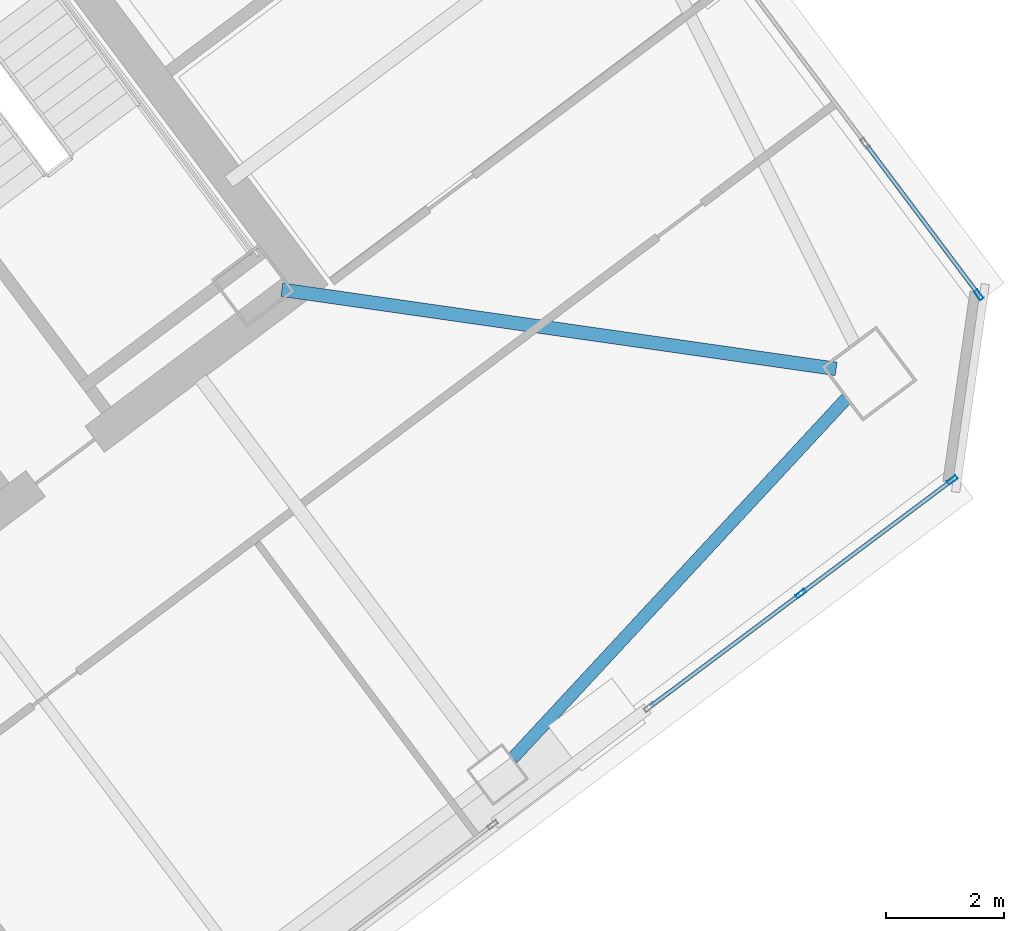
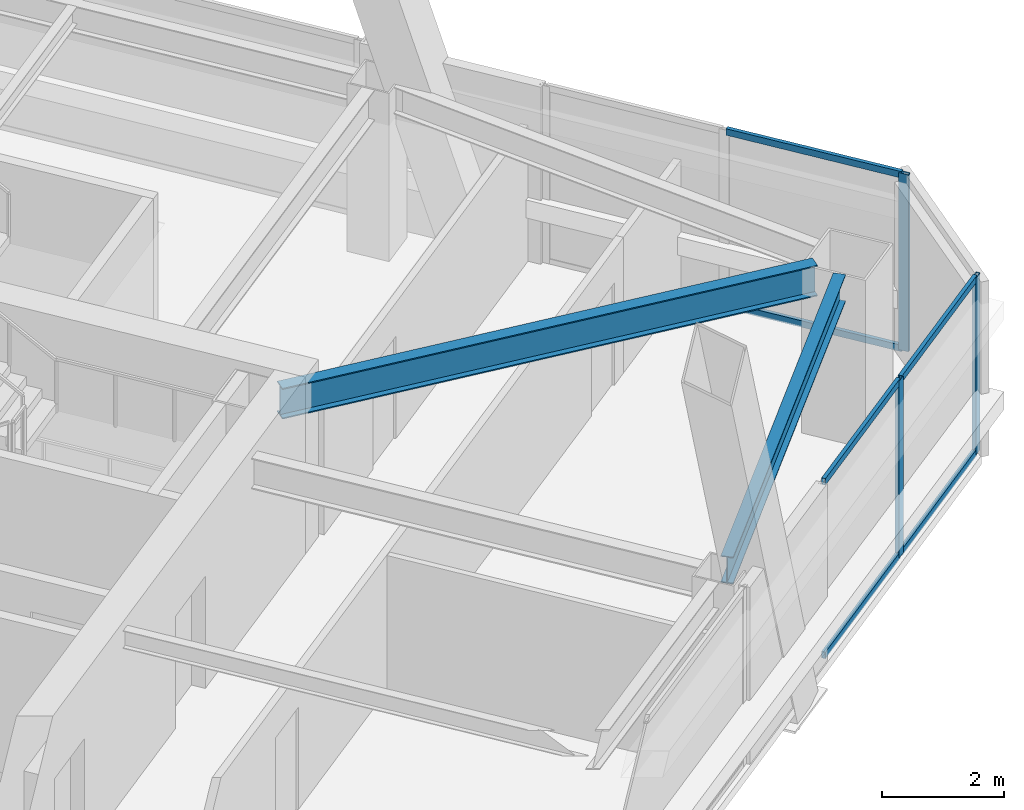
# One storey, part 34 of 55: 9 members, 2 beams, 2 elements without a shape of their own.
"""IFC4 building model written with IfcOpenShell, lengths in metres."""

from ifc_helpers import new_model, si_unit, direction, frame, origin, origin_2d, place, context, subcontext, project, spatial, hollow_rectangle, i_section, extrude, material, material_profile, profile_set, type_object, element, aggregate, save


model = new_model("IFC4")

# Units and contexts
model_context = context("Model", 3, precision=1e-05, world=origin(), true_north=direction((0.0, 1.0)))
body_context = subcontext(model_context, "Body", "Model", "MODEL_VIEW")
ifc_project = project(units=[si_unit("LENGTHUNIT", "METRE"), si_unit("AREAUNIT", "SQUARE_METRE"), si_unit("VOLUMEUNIT", "CUBIC_METRE"), si_unit("PLANEANGLEUNIT", "RADIAN"), si_unit("MASSUNIT", "GRAM", prefix="KILO")], contexts=[model_context])

# Site, building, storey
site_placement = place(None, origin())
site = spatial("IfcSite", under=ifc_project, at=site_placement, CompositionType="ELEMENT")
building_placement = place(site_placement, origin())
building = spatial("IfcBuilding", under=site, at=building_placement, Name="Tashvorn Skyway Center", CompositionType="ELEMENT")
storey_placement = place(building_placement, frame((0.0, 0.0, 178.300048828125)))
storey = spatial("IfcBuildingStorey", under=building, at=storey_placement, Name="L48", CompositionType="ELEMENT", Elevation=178.300048828125)

# Beams
ifc_material_1 = material(Name="Steel ASTM A992 Grade 50", Category="steel")
ifc_material_profile_1 = material_profile(ifc_material_1, i_section(OverallWidth=0.22998046875, OverallDepth=0.616943359375, WebThickness=0.01318359375, FlangeThickness=0.022216796875, at=origin_2d()), Name="W24X94")
ifc_profile_set_1 = profile_set([ifc_material_profile_1], Name="Steel ASTM A992 Grade 50")
beam_type_1 = type_object("IfcBeamType", Name="BM-BEAM-W24X94", PredefinedType="BEAM", material=ifc_profile_set_1)
beam_1_placement = place(storey_placement, frame((133.73583984375, 29.1806640625, 3.0615234375), z_axis=(-0.989950009213, 0.141417747326, 0.0), x_axis=(-0.141417747326, -0.989950009213, 0.0)))
element("IfcBeam", 1, at=beam_1_placement, inside=storey, type_object=beam_type_1, Name="Tower 2 L48 Primary Floor Girder MC-SE", PredefinedType="BEAM", context=body_context, shape_type="SweptSolid", body=[
    extrude(i_section(OverallWidth=0.22998046875, OverallDepth=0.616943359375, WebThickness=0.01318359375, FlangeThickness=0.022216796875, at=origin_2d()), origin(), (0.0, 0.0, 1.0), 9.470947265625),
])
ifc_material_profile_2 = material_profile(ifc_material_1, i_section(OverallWidth=0.2109375, OverallDepth=0.5390625, WebThickness=0.01171875, FlangeThickness=0.018798828125, at=origin_2d()), Name="W21X73")
ifc_profile_set_2 = profile_set([ifc_material_profile_2], Name="Steel ASTM A992 Grade 50")
beam_type_2 = type_object("IfcBeamType", Name="BM-SPANDREL-W21X73", PredefinedType="SPANDREL", material=ifc_profile_set_2)
beam_2_placement = place(storey_placement, frame((128.26171875, 22.59130859375, 3.100341796875), z_axis=(0.680119661736, 0.733101115618, 0.0), x_axis=(-0.733101115618, 0.680119661736, 0.0)))
element("IfcBeam", 2, at=beam_2_placement, inside=storey, type_object=beam_type_2, Name="Tower 2 L48 Spandrel Beam 03", PredefinedType="SPANDREL", context=body_context, shape_type="SweptSolid", body=[
    extrude(i_section(OverallWidth=0.2109375, OverallDepth=0.5390625, WebThickness=0.01171875, FlangeThickness=0.018798828125, at=origin_2d()), origin(), (0.0, 0.0, 1.0), 8.308349609375),
])

# Curtain wall, members
ifc_material_2 = material(Name="Thermally broken bronze-anodized aluminium 6063-T6", Category="aluminium")
curtain_wall_type = type_object("IfcCurtainWallType", Name="CW-CW-Z4", PredefinedType="NOTDEFINED", material=ifc_material_2)
curtain_wall_1_placement = place(storey_placement, origin())
curtain_wall_1 = element("IfcCurtainWall", 3, at=curtain_wall_1_placement, inside=storey, type_object=curtain_wall_type, Name="Tower 2 L48 South Unitised Curtain Wall Glazing Group 1", PredefinedType="NOTDEFINED")
ifc_material_profile_3 = material_profile(ifc_material_2, hollow_rectangle(XDim=0.070068359375, YDim=0.179931640625, WallThickness=0.00390625, at=origin_2d()), Name="ALU-MULL-70x180")
ifc_profile_set_3 = profile_set([ifc_material_profile_3], Name="Thermally broken bronze-anodized aluminium 6063-T6")
member_type_1 = type_object("IfcMemberType", Name="CWM-CW-Z4", PredefinedType="MULLION", material=ifc_profile_set_3)
member_1_placement = place(storey_placement, frame((135.7041015625, 27.302978515625, 0.0), z_axis=(0.0, 0.0, 1.0), x_axis=(0.600000000002, -0.799999999998, 0.0)))
member_1 = element("IfcMember", 4, at=member_1_placement, type_object=member_type_1, Name="CW-Z4 mullion 1", PredefinedType="MULLION", context=body_context, shape_type="SweptSolid", body=[
    extrude(hollow_rectangle(XDim=0.070068359375, YDim=0.179931640625, WallThickness=0.00390625, at=origin_2d()), origin(), (0.0, 0.0, 1.0), 3.550048828125),
])
member_2_placement = place(storey_placement, frame((133.139892578125, 25.3798828125, 0.0), z_axis=(0.0, 0.0, 1.0), x_axis=(0.600000000002, -0.799999999998, 0.0)))
member_2 = element("IfcMember", 5, at=member_2_placement, type_object=member_type_1, Name="CW-Z4 mullion 2", PredefinedType="MULLION", context=body_context, shape_type="SweptSolid", body=[
    extrude(hollow_rectangle(XDim=0.070068359375, YDim=0.179931640625, WallThickness=0.00390625, at=origin_2d()), origin(), (0.0, 0.0, 1.0), 3.550048828125),
])

# Curtain wall, member
curtain_wall_2_placement = place(storey_placement, origin())
curtain_wall_2 = element("IfcCurtainWall", 6, at=curtain_wall_2_placement, inside=storey, type_object=curtain_wall_type, Name="Tower 2 L48 East Unitised Curtain Wall Glazing Group 3", PredefinedType="NOTDEFINED")
member_3_placement = place(storey_placement, frame((136.15087890625, 30.431884765625, 0.0), z_axis=(0.0, 0.0, 1.0), x_axis=(0.799999999998, 0.600000000002, 0.0)))
member_3 = element("IfcMember", 7, at=member_3_placement, type_object=member_type_1, Name="CW-Z4 mullion 3", PredefinedType="MULLION", context=body_context, shape_type="SweptSolid", body=[
    extrude(hollow_rectangle(XDim=0.070068359375, YDim=0.179931640625, WallThickness=0.00390625, at=origin_2d()), origin(), (0.0, 0.0, 1.0), 3.550048828125),
])

# Member
ifc_material_profile_4 = material_profile(ifc_material_2, hollow_rectangle(XDim=0.070068359375, YDim=0.1298828125, WallThickness=0.00390625, at=origin_2d()), Name="ALU-TRAN-70x130")
ifc_profile_set_4 = profile_set([ifc_material_profile_4], Name="Thermally broken bronze-anodized aluminium 6063-T6")
member_type_2 = type_object("IfcMemberType", Name="CWT-CW-Z4", PredefinedType="USERDEFINED", material=ifc_profile_set_4)
member_4_placement = place(storey_placement, frame((135.676025390625, 27.281982421875, 0.034912109375), z_axis=(-0.799990655127, -0.600012459628, 0.0), x_axis=(0.600012459628, -0.799990655127, 0.0)))
member_4 = element("IfcMember", 8, at=member_4_placement, type_object=member_type_2, Name="CW-Z4 transom 1.1", ObjectType="TRANSOM", PredefinedType="USERDEFINED", context=body_context, shape_type="SweptSolid", body=[
    extrude(hollow_rectangle(XDim=0.070068359375, YDim=0.1298828125, WallThickness=0.00390625, at=origin_2d()), origin(), (0.0, 0.0, 1.0), 3.135009765625),
])

member_5_placement = place(storey_placement, frame((135.676025390625, 27.281982421875, 3.514892578125), z_axis=(-0.799990655127, -0.600012459628, 0.0), x_axis=(0.600012459628, -0.799990655127, 0.0)))
member_5 = element("IfcMember", 9, at=member_5_placement, type_object=member_type_2, Name="CW-Z4 transom 1.2", ObjectType="TRANSOM", PredefinedType="USERDEFINED", context=body_context, shape_type="SweptSolid", body=[
    extrude(hollow_rectangle(XDim=0.070068359375, YDim=0.1298828125, WallThickness=0.00390625, at=origin_2d()), origin(), (0.0, 0.0, 1.0), 3.135009765625),
])

member_6_placement = place(storey_placement, frame((133.112060546875, 25.35888671875, 0.034912109375), z_axis=(-0.800028034763, -0.599962618496, 0.0), x_axis=(0.599962618496, -0.800028034763, 0.0)))
member_6 = element("IfcMember", 10, at=member_6_placement, type_object=member_type_2, Name="CW-Z4 transom 2.1", ObjectType="TRANSOM", PredefinedType="USERDEFINED", context=body_context, shape_type="SweptSolid", body=[
    extrude(hollow_rectangle(XDim=0.070068359375, YDim=0.1298828125, WallThickness=0.00390625, at=origin_2d()), origin(), (0.0, 0.0, 1.0), 3.135009765625),
])

member_7_placement = place(storey_placement, frame((133.112060546875, 25.35888671875, 3.514892578125), z_axis=(-0.800028034763, -0.599962618496, 0.0), x_axis=(0.599962618496, -0.800028034763, 0.0)))
member_7 = element("IfcMember", 11, at=member_7_placement, type_object=member_type_2, Name="CW-Z4 transom 2.2", ObjectType="TRANSOM", PredefinedType="USERDEFINED", context=body_context, shape_type="SweptSolid", body=[
    extrude(hollow_rectangle(XDim=0.070068359375, YDim=0.1298828125, WallThickness=0.00390625, at=origin_2d()), origin(), (0.0, 0.0, 1.0), 3.135009765625),
])

aggregate(curtain_wall_1, [member_1, member_2, member_4, member_5, member_6, member_7])

member_8_placement = place(storey_placement, frame((134.2490234375, 32.968017578125, 0.034912109375), z_axis=(0.599962618496, -0.800028034763, 0.0), x_axis=(0.800028034763, 0.599962618496, 0.0)))
member_8 = element("IfcMember", 12, at=member_8_placement, type_object=member_type_2, Name="CW-Z4 transom 2.1", ObjectType="TRANSOM", PredefinedType="USERDEFINED", context=body_context, shape_type="SweptSolid", body=[
    extrude(hollow_rectangle(XDim=0.070068359375, YDim=0.1298828125, WallThickness=0.00390625, at=origin_2d()), origin(), (0.0, 0.0, 1.0), 3.135009765625),
])

member_9_placement = place(storey_placement, frame((134.2490234375, 32.968017578125, 3.514892578125), z_axis=(0.599962618496, -0.800028034763, 0.0), x_axis=(0.800028034763, 0.599962618496, 0.0)))
member_9 = element("IfcMember", 13, at=member_9_placement, type_object=member_type_2, Name="CW-Z4 transom 2.2", ObjectType="TRANSOM", PredefinedType="USERDEFINED", context=body_context, shape_type="SweptSolid", body=[
    extrude(hollow_rectangle(XDim=0.070068359375, YDim=0.1298828125, WallThickness=0.00390625, at=origin_2d()), origin(), (0.0, 0.0, 1.0), 3.135009765625),
])

aggregate(curtain_wall_2, [member_3, member_8, member_9])

save(model, "model.ifc")
